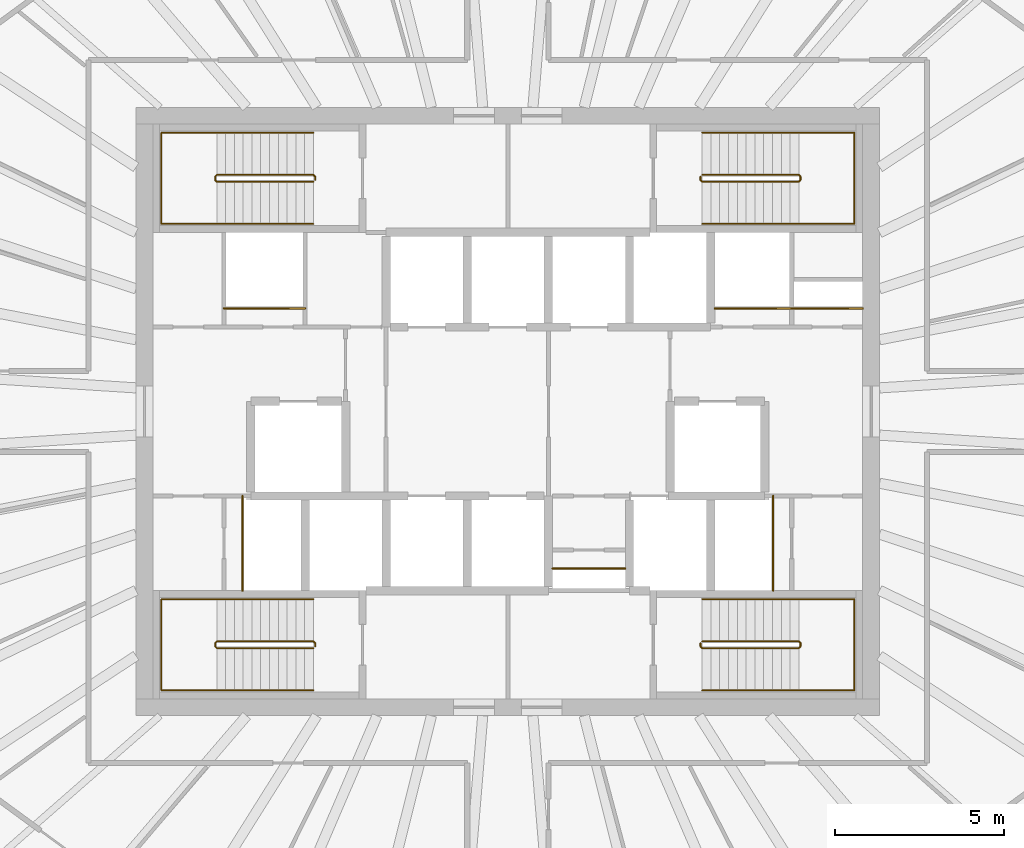
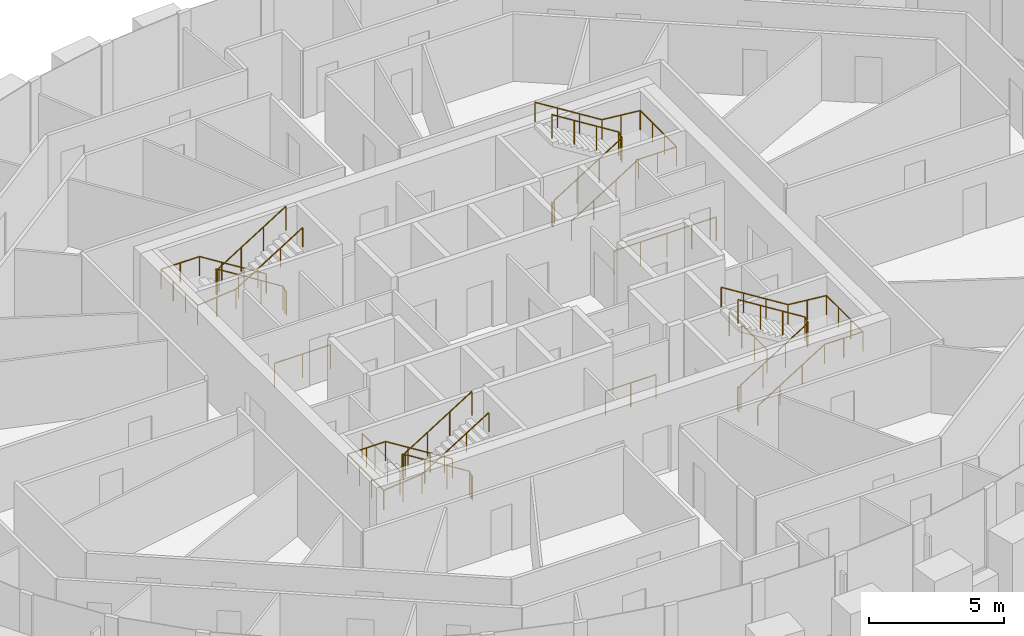
# One storey, part 11 of 11: 14 railings.
"""IFC4 building model written with IfcOpenShell, lengths in metres."""

from ifc_helpers import new_model, si_unit, direction, frame, origin, origin_2d, place, context, subcontext, project, spatial, circle, extrude, source, transform, mapped, material, type_object, element, save


model = new_model("IFC4")

# Units and contexts
model_context = context("Model", 3, precision=1e-05, world=origin(), true_north=direction((0.0, 1.0)))
body_context = subcontext(model_context, "Body", "Model", "MODEL_VIEW")
ifc_project = project(units=[si_unit("LENGTHUNIT", "METRE"), si_unit("AREAUNIT", "SQUARE_METRE"), si_unit("VOLUMEUNIT", "CUBIC_METRE"), si_unit("PLANEANGLEUNIT", "RADIAN"), si_unit("MASSUNIT", "GRAM", prefix="KILO")], contexts=[model_context])

# Site, building, storey
site_placement = place(None, origin())
site = spatial("IfcSite", under=ifc_project, at=site_placement, CompositionType="ELEMENT")
building_placement = place(site_placement, origin())
building = spatial("IfcBuilding", under=site, at=building_placement, Name="Embergate Tower", CompositionType="ELEMENT")
storey_placement = place(building_placement, frame((0.0, 0.0, 328.60009765625)))
storey = spatial("IfcBuildingStorey", under=building, at=storey_placement, Name="L77", CompositionType="ELEMENT", Elevation=328.60009765625)

# Railings
ifc_material_1 = material(Name="Stair handrail 900")
railing_type_1 = type_object("IfcRailingType", Name="Stair handrail 900", PredefinedType="HANDRAIL", material=ifc_material_1)
shared_shape_1 = source(origin(), body_context, "Body", "SweptSolid", [
    extrude(circle(Radius=0.02392578125, at=origin_2d()), frame((0.0, 0.0, 0.8759765625), z_axis=(-0.847994237388, 0.0, 0.530005446535), x_axis=(0.0, -1.0, 0.0)), (0.0, 0.0, 1.0), 3.372802734375),
    extrude(circle(Radius=0.02392578125, at=origin_2d()), frame((-2.860107421875, 0.0, 2.66357421875), z_axis=(-1.0, 0.0, 0.0), x_axis=(0.0, -1.0, 0.0)), (0.0, 0.0, 1.0), 1.639892578125),
    extrude(circle(Radius=0.02392578125, at=origin_2d()), frame((-4.5, 0.0, 2.66357421875), z_axis=(0.0, -1.0, 0.0), x_axis=(1.0, 0.0, 0.0)), (0.0, 0.0, 1.0), 2.699951171875),
    extrude(circle(Radius=0.02392578125, at=origin_2d()), frame((-4.5, -2.699951171875, 2.66357421875), z_axis=(0.995134983717, 0.0, 0.098520881967), x_axis=(0.0, 1.0, 0.0)), (0.0, 0.0, 1.0), 1.64794921875),
    extrude(circle(Radius=0.02392578125, at=origin_2d()), frame((-2.860107421875, -2.699951171875, 2.82568359375), z_axis=(0.847994237388, 0.0, 0.530005446535), x_axis=(0.0, 1.0, 0.0)), (0.0, 0.0, 1.0), 3.372802734375),
    extrude(circle(Radius=0.02099609375, at=origin_2d()), origin(), (0.0, 0.0, 1.0), 0.851806640625),
    extrude(circle(Radius=0.02099609375, at=origin_2d()), frame((-0.953369140625, 0.0, 0.595947265625)), (0.0, 0.0, 1.0), 0.851806640625),
    extrude(circle(Radius=0.02099609375, at=origin_2d()), frame((-1.90673828125, 0.0, 1.191650390625)), (0.0, 0.0, 1.0), 0.851806640625),
    extrude(circle(Radius=0.02099609375, at=origin_2d()), frame((-2.860107421875, 0.0, 1.78759765625)), (0.0, 0.0, 1.0), 0.851806640625),
    extrude(circle(Radius=0.02099609375, at=origin_2d()), frame((-3.68017578125, 0.0, 1.78759765625)), (0.0, 0.0, 1.0), 0.851806640625),
    extrude(circle(Radius=0.02099609375, at=origin_2d()), frame((-4.5, 0.0, 1.78759765625)), (0.0, 0.0, 1.0), 0.851806640625),
    extrude(circle(Radius=0.02099609375, at=origin_2d()), frame((-4.5, -0.89990234375, 1.78759765625)), (0.0, 0.0, 1.0), 0.851806640625),
    extrude(circle(Radius=0.02099609375, at=origin_2d()), frame((-4.5, -1.800048828125, 1.78759765625)), (0.0, 0.0, 1.0), 0.851806640625),
    extrude(circle(Radius=0.02099609375, at=origin_2d()), frame((-4.5, -2.699951171875, 1.78759765625)), (0.0, 0.0, 1.0), 0.851806640625),
    extrude(circle(Radius=0.02099609375, at=origin_2d()), frame((-3.68017578125, -2.699951171875, 1.86865234375)), (0.0, 0.0, 1.0), 0.851806640625),
    extrude(circle(Radius=0.02099609375, at=origin_2d()), frame((-2.860107421875, -2.699951171875, 1.949951171875)), (0.0, 0.0, 1.0), 0.851806640625),
    extrude(circle(Radius=0.02099609375, at=origin_2d()), frame((-1.90673828125, -2.699951171875, 2.5458984375)), (0.0, 0.0, 1.0), 0.851806640625),
    extrude(circle(Radius=0.02099609375, at=origin_2d()), frame((-0.953369140625, -2.699951171875, 3.1416015625)), (0.0, 0.0, 1.0), 0.851806640625),
    extrude(circle(Radius=0.02099609375, at=origin_2d()), frame((0.0, -2.699951171875, 3.737548828125)), (0.0, 0.0, 1.0), 0.851806640625),
])
for number, where, name in (
    (1, (-5.75, 8.25, 0.162353515625), "L77 ST1 stair handrail 1"),
    (2, (-5.75, -5.550048828125, 0.162353515625), "L77 ST3 stair handrail 1"),
):
    element("IfcRailing", number, at=place(storey_placement, frame(where)), inside=storey, type_object=railing_type_1, Name=name, PredefinedType="HANDRAIL", context=body_context, shape_type="MappedRepresentation", body=[
        mapped(shared_shape_1, transform((0.0, 0.0, 0.0))),
    ])
ifc_material_2 = material(Name="Stair guard 1100")
railing_type_2 = type_object("IfcRailingType", Name="Stair guard 1100", PredefinedType="GUARDRAIL", material=ifc_material_2)
shared_shape_2 = source(origin(), body_context, "Body", "SweptSolid", [
    extrude(circle(Radius=0.02392578125, at=origin_2d()), frame((0.0, 0.0, 1.076171875), z_axis=(0.0, 1.0, 0.0), x_axis=(-1.0, 0.0, 0.0)), (0.0, 0.0, 1.0), 0.099853515625),
    extrude(circle(Radius=0.02392578125, at=origin_2d()), frame((0.0, 0.099853515625, 1.076171875), z_axis=(-0.282583949758, 0.282583949758, 0.916674763849), x_axis=(-0.707106781187, -0.707106781187, 0.0)), (0.0, 0.0, 1.0), 0.177001953125),
    extrude(circle(Radius=0.02392578125, at=origin_2d()), frame((-0.050048828125, 0.14990234375, 1.23828125), z_axis=(-0.847994237388, 0.0, 0.530005446535), x_axis=(0.0, -1.0, 0.0)), (0.0, 0.0, 1.0), 3.372802734375),
    extrude(circle(Radius=0.02392578125, at=origin_2d()), frame((-2.91015625, 0.14990234375, 3.02587890625), z_axis=(-0.705375805398, -0.708833529934, 0.0), x_axis=(0.708833529934, -0.705375805398, 0.0)), (0.0, 0.0, 1.0), 0.070556640625),
    extrude(circle(Radius=0.02392578125, at=origin_2d()), frame((-2.9599609375, 0.099853515625, 3.02587890625), z_axis=(0.0, -1.0, 0.0), x_axis=(1.0, 0.0, 0.0)), (0.0, 0.0, 1.0), 0.099853515625),
    extrude(circle(Radius=0.02392578125, at=origin_2d()), frame((-2.9599609375, 0.0, 3.02587890625), z_axis=(0.281314826061, -0.282693820306, 0.917031173188), x_axis=(0.708833529934, 0.705375805398, 0.0)), (0.0, 0.0, 1.0), 0.177001953125),
    extrude(circle(Radius=0.02392578125, at=origin_2d()), frame((-2.91015625, -0.050048828125, 3.1884765625), z_axis=(0.847994237388, 0.0, 0.530005446535), x_axis=(0.0, 1.0, 0.0)), (0.0, 0.0, 1.0), 3.372802734375),
    extrude(circle(Radius=0.02099609375, at=origin_2d()), origin(), (0.0, 0.0, 1.0), 1.052001953125),
    extrude(circle(Radius=0.02099609375, at=origin_2d()), frame((0.0, 0.099853515625, 0.0)), (0.0, 0.0, 1.0), 1.052001953125),
    extrude(circle(Radius=0.02099609375, at=origin_2d()), frame((-0.050048828125, 0.14990234375, 0.162353515625)), (0.0, 0.0, 1.0), 1.052001953125),
    extrude(circle(Radius=0.02099609375, at=origin_2d()), frame((-1.00341796875, 0.14990234375, 0.75830078125)), (0.0, 0.0, 1.0), 1.052001953125),
    extrude(circle(Radius=0.02099609375, at=origin_2d()), frame((-1.956787109375, 0.14990234375, 1.35400390625)), (0.0, 0.0, 1.0), 1.052001953125),
    extrude(circle(Radius=0.02099609375, at=origin_2d()), frame((-2.91015625, 0.14990234375, 1.949951171875)), (0.0, 0.0, 1.0), 1.052001953125),
    extrude(circle(Radius=0.02099609375, at=origin_2d()), frame((-2.9599609375, 0.099853515625, 1.949951171875)), (0.0, 0.0, 1.0), 1.052001953125),
    extrude(circle(Radius=0.02099609375, at=origin_2d()), frame((-2.9599609375, 0.0, 1.949951171875)), (0.0, 0.0, 1.0), 1.052001953125),
    extrude(circle(Radius=0.02099609375, at=origin_2d()), frame((-2.91015625, -0.050048828125, 2.1123046875)), (0.0, 0.0, 1.0), 1.052001953125),
    extrude(circle(Radius=0.02099609375, at=origin_2d()), frame((-1.956787109375, -0.050048828125, 2.708251953125)), (0.0, 0.0, 1.0), 1.052001953125),
    extrude(circle(Radius=0.02099609375, at=origin_2d()), frame((-1.00341796875, -0.050048828125, 3.303955078125)), (0.0, 0.0, 1.0), 1.052001953125),
    extrude(circle(Radius=0.02099609375, at=origin_2d()), frame((-0.050048828125, -0.050048828125, 3.89990234375)), (0.0, 0.0, 1.0), 1.052001953125),
])
for number, where, name in (
    (3, (-5.699951171875, 6.85009765625, 0.0), "L77 ST1 stair guard 1"),
    (4, (-5.699951171875, -6.949951171875, 0.0), "L77 ST3 stair guard 1"),
):
    element("IfcRailing", number, at=place(storey_placement, frame(where)), inside=storey, type_object=railing_type_2, Name=name, PredefinedType="GUARDRAIL", context=body_context, shape_type="MappedRepresentation", body=[
        mapped(shared_shape_2, transform((0.0, 0.0, 0.0))),
    ])
shared_shape_3 = source(origin(), body_context, "Body", "SweptSolid", [
    extrude(circle(Radius=0.02392578125, at=origin_2d()), frame((0.0, 0.0, 0.8759765625), z_axis=(0.847994237388, 0.0, 0.530005446535), x_axis=(0.0, 1.0, 0.0)), (0.0, 0.0, 1.0), 3.372802734375),
    extrude(circle(Radius=0.02392578125, at=origin_2d()), frame((2.860107421875, 0.0, 2.66357421875), z_axis=(1.0, 0.0, 0.0), x_axis=(0.0, 1.0, 0.0)), (0.0, 0.0, 1.0), 1.639892578125),
    extrude(circle(Radius=0.02392578125, at=origin_2d()), frame((4.5, 0.0, 2.66357421875), z_axis=(0.0, 1.0, 0.0), x_axis=(-1.0, 0.0, 0.0)), (0.0, 0.0, 1.0), 2.699951171875),
    extrude(circle(Radius=0.02392578125, at=origin_2d()), frame((4.5, 2.699951171875, 2.66357421875), z_axis=(-0.995134983717, 0.0, 0.098520881967), x_axis=(0.0, -1.0, 0.0)), (0.0, 0.0, 1.0), 1.64794921875),
    extrude(circle(Radius=0.02392578125, at=origin_2d()), frame((2.860107421875, 2.699951171875, 2.82568359375), z_axis=(-0.847994237388, 0.0, 0.530005446535), x_axis=(0.0, -1.0, 0.0)), (0.0, 0.0, 1.0), 3.372802734375),
    extrude(circle(Radius=0.02099609375, at=origin_2d()), origin(), (0.0, 0.0, 1.0), 0.851806640625),
    extrude(circle(Radius=0.02099609375, at=origin_2d()), frame((0.953369140625, 0.0, 0.595947265625)), (0.0, 0.0, 1.0), 0.851806640625),
    extrude(circle(Radius=0.02099609375, at=origin_2d()), frame((1.90673828125, 0.0, 1.191650390625)), (0.0, 0.0, 1.0), 0.851806640625),
    extrude(circle(Radius=0.02099609375, at=origin_2d()), frame((2.860107421875, 0.0, 1.78759765625)), (0.0, 0.0, 1.0), 0.851806640625),
    extrude(circle(Radius=0.02099609375, at=origin_2d()), frame((3.68017578125, 0.0, 1.78759765625)), (0.0, 0.0, 1.0), 0.851806640625),
    extrude(circle(Radius=0.02099609375, at=origin_2d()), frame((4.5, 0.0, 1.78759765625)), (0.0, 0.0, 1.0), 0.851806640625),
    extrude(circle(Radius=0.02099609375, at=origin_2d()), frame((4.5, 0.89990234375, 1.78759765625)), (0.0, 0.0, 1.0), 0.851806640625),
    extrude(circle(Radius=0.02099609375, at=origin_2d()), frame((4.5, 1.800048828125, 1.78759765625)), (0.0, 0.0, 1.0), 0.851806640625),
    extrude(circle(Radius=0.02099609375, at=origin_2d()), frame((4.5, 2.699951171875, 1.78759765625)), (0.0, 0.0, 1.0), 0.851806640625),
    extrude(circle(Radius=0.02099609375, at=origin_2d()), frame((3.68017578125, 2.699951171875, 1.86865234375)), (0.0, 0.0, 1.0), 0.851806640625),
    extrude(circle(Radius=0.02099609375, at=origin_2d()), frame((2.860107421875, 2.699951171875, 1.949951171875)), (0.0, 0.0, 1.0), 0.851806640625),
    extrude(circle(Radius=0.02099609375, at=origin_2d()), frame((1.90673828125, 2.699951171875, 2.5458984375)), (0.0, 0.0, 1.0), 0.851806640625),
    extrude(circle(Radius=0.02099609375, at=origin_2d()), frame((0.953369140625, 2.699951171875, 3.1416015625)), (0.0, 0.0, 1.0), 0.851806640625),
    extrude(circle(Radius=0.02099609375, at=origin_2d()), frame((0.0, 2.699951171875, 3.737548828125)), (0.0, 0.0, 1.0), 0.851806640625),
])
for number, where, name in (
    (5, (5.75, 5.550048828125, 0.162353515625), "L77 ST2 stair handrail 1"),
    (6, (5.75, -8.25, 0.162353515625), "L77 ST4 stair handrail 1"),
):
    element("IfcRailing", number, at=place(storey_placement, frame(where)), inside=storey, type_object=railing_type_1, Name=name, PredefinedType="HANDRAIL", context=body_context, shape_type="MappedRepresentation", body=[
        mapped(shared_shape_3, transform((0.0, 0.0, 0.0))),
    ])
shared_shape_4 = source(origin(), body_context, "Body", "SweptSolid", [
    extrude(circle(Radius=0.02392578125, at=origin_2d()), frame((0.0, 0.0, 1.076171875), z_axis=(0.0, -1.0, 0.0), x_axis=(1.0, 0.0, 0.0)), (0.0, 0.0, 1.0), 0.099853515625),
    extrude(circle(Radius=0.02392578125, at=origin_2d()), frame((0.0, -0.099853515625, 1.076171875), z_axis=(0.282583949758, -0.282583949758, 0.916674763849), x_axis=(0.707106781187, 0.707106781187, 0.0)), (0.0, 0.0, 1.0), 0.177001953125),
    extrude(circle(Radius=0.02392578125, at=origin_2d()), frame((0.050048828125, -0.14990234375, 1.23828125), z_axis=(0.847994237388, 0.0, 0.530005446535), x_axis=(0.0, 1.0, 0.0)), (0.0, 0.0, 1.0), 3.372802734375),
    extrude(circle(Radius=0.02392578125, at=origin_2d()), frame((2.91015625, -0.14990234375, 3.02587890625), z_axis=(0.705375805398, 0.708833529934, 0.0), x_axis=(-0.708833529934, 0.705375805398, 0.0)), (0.0, 0.0, 1.0), 0.070556640625),
    extrude(circle(Radius=0.02392578125, at=origin_2d()), frame((2.9599609375, -0.099853515625, 3.02587890625), z_axis=(0.0, 1.0, 0.0), x_axis=(-1.0, 0.0, 0.0)), (0.0, 0.0, 1.0), 0.099853515625),
    extrude(circle(Radius=0.02392578125, at=origin_2d()), frame((2.9599609375, 0.0, 3.02587890625), z_axis=(-0.281314826061, 0.282693820306, 0.917031173188), x_axis=(-0.708833529934, -0.705375805398, 0.0)), (0.0, 0.0, 1.0), 0.177001953125),
    extrude(circle(Radius=0.02392578125, at=origin_2d()), frame((2.91015625, 0.050048828125, 3.1884765625), z_axis=(-0.847994237388, 0.0, 0.530005446535), x_axis=(0.0, -1.0, 0.0)), (0.0, 0.0, 1.0), 3.372802734375),
    extrude(circle(Radius=0.02099609375, at=origin_2d()), origin(), (0.0, 0.0, 1.0), 1.052001953125),
    extrude(circle(Radius=0.02099609375, at=origin_2d()), frame((0.0, -0.099853515625, 0.0)), (0.0, 0.0, 1.0), 1.052001953125),
    extrude(circle(Radius=0.02099609375, at=origin_2d()), frame((0.050048828125, -0.14990234375, 0.162353515625)), (0.0, 0.0, 1.0), 1.052001953125),
    extrude(circle(Radius=0.02099609375, at=origin_2d()), frame((1.00341796875, -0.14990234375, 0.75830078125)), (0.0, 0.0, 1.0), 1.052001953125),
    extrude(circle(Radius=0.02099609375, at=origin_2d()), frame((1.956787109375, -0.14990234375, 1.35400390625)), (0.0, 0.0, 1.0), 1.052001953125),
    extrude(circle(Radius=0.02099609375, at=origin_2d()), frame((2.91015625, -0.14990234375, 1.949951171875)), (0.0, 0.0, 1.0), 1.052001953125),
    extrude(circle(Radius=0.02099609375, at=origin_2d()), frame((2.9599609375, -0.099853515625, 1.949951171875)), (0.0, 0.0, 1.0), 1.052001953125),
    extrude(circle(Radius=0.02099609375, at=origin_2d()), frame((2.9599609375, 0.0, 1.949951171875)), (0.0, 0.0, 1.0), 1.052001953125),
    extrude(circle(Radius=0.02099609375, at=origin_2d()), frame((2.91015625, 0.050048828125, 2.1123046875)), (0.0, 0.0, 1.0), 1.052001953125),
    extrude(circle(Radius=0.02099609375, at=origin_2d()), frame((1.956787109375, 0.050048828125, 2.708251953125)), (0.0, 0.0, 1.0), 1.052001953125),
    extrude(circle(Radius=0.02099609375, at=origin_2d()), frame((1.00341796875, 0.050048828125, 3.303955078125)), (0.0, 0.0, 1.0), 1.052001953125),
    extrude(circle(Radius=0.02099609375, at=origin_2d()), frame((0.050048828125, 0.050048828125, 3.89990234375)), (0.0, 0.0, 1.0), 1.052001953125),
])
for number, where, name in (
    (7, (5.699951171875, 6.949951171875, 0.0), "L77 ST2 stair guard 1"),
    (8, (5.699951171875, -6.85009765625, 0.0), "L77 ST4 stair guard 1"),
):
    element("IfcRailing", number, at=place(storey_placement, frame(where)), inside=storey, type_object=railing_type_2, Name=name, PredefinedType="GUARDRAIL", context=body_context, shape_type="MappedRepresentation", body=[
        mapped(shared_shape_4, transform((0.0, 0.0, 0.0))),
    ])
ifc_material_3 = material(Name="Opening guard 1100")
railing_type_3 = type_object("IfcRailingType", Name="Opening guard 1100", PredefinedType="GUARDRAIL", material=ifc_material_3)
shared_shape_5 = source(origin(), body_context, "Body", "SweptSolid", [
    extrude(circle(Radius=0.02392578125, at=origin_2d()), frame((0.0, 0.0, 1.076171875), z_axis=(1.0, 0.0, 0.0), x_axis=(0.0, 1.0, 0.0)), (0.0, 0.0, 1.0), 2.27490234375),
    extrude(circle(Radius=0.02099609375, at=origin_2d()), origin(), (0.0, 0.0, 1.0), 1.052001953125),
    extrude(circle(Radius=0.02099609375, at=origin_2d()), frame((1.137451171875, 0.0, 0.0)), (0.0, 0.0, 1.0), 1.052001953125),
    extrude(circle(Radius=0.02099609375, at=origin_2d()), frame((2.27490234375, 0.0, 0.0)), (0.0, 0.0, 1.0), 1.052001953125),
])
railing_1_placement = place(storey_placement, frame((6.125, 3.050048828125, 0.0)))
element("IfcRailing", 9, at=railing_1_placement, inside=storey, type_object=railing_type_3, Name="Riser opening guard", PredefinedType="GUARDRAIL", context=body_context, shape_type="MappedRepresentation", body=[
    mapped(shared_shape_5, transform((0.0, 0.0, 0.0))),
])
shared_shape_6 = source(origin(), body_context, "Body", "SweptSolid", [
    extrude(circle(Radius=0.02392578125, at=origin_2d()), frame((0.0, 0.0, 1.076171875), z_axis=(0.0, 1.0, 0.0), x_axis=(-1.0, 0.0, 0.0)), (0.0, 0.0, 1.0), 2.800048828125),
    extrude(circle(Radius=0.02099609375, at=origin_2d()), origin(), (0.0, 0.0, 1.0), 1.052001953125),
    extrude(circle(Radius=0.02099609375, at=origin_2d()), frame((0.0, 0.933349609375, 0.0)), (0.0, 0.0, 1.0), 1.052001953125),
    extrude(circle(Radius=0.02099609375, at=origin_2d()), frame((0.0, 1.86669921875, 0.0)), (0.0, 0.0, 1.0), 1.052001953125),
    extrude(circle(Radius=0.02099609375, at=origin_2d()), frame((0.0, 2.800048828125, 0.0)), (0.0, 0.0, 1.0), 1.052001953125),
])
for number, where, name in (
    (10, (-7.85009765625, -5.300048828125, 0.0), "Riser opening guard"),
    (11, (7.85009765625, -5.300048828125, 0.0), "Riser opening guard"),
):
    element("IfcRailing", number, at=place(storey_placement, frame(where)), inside=storey, type_object=railing_type_3, Name=name, PredefinedType="GUARDRAIL", context=body_context, shape_type="MappedRepresentation", body=[
        mapped(shared_shape_6, transform((0.0, 0.0, 0.0))),
    ])
shared_shape_7 = source(origin(), body_context, "Body", "SweptSolid", [
    extrude(circle(Radius=0.02392578125, at=origin_2d()), frame((0.0, 0.0, 1.076171875), z_axis=(1.0, 0.0, 0.0), x_axis=(0.0, 1.0, 0.0)), (0.0, 0.0, 1.0), 2.39990234375),
    extrude(circle(Radius=0.02099609375, at=origin_2d()), origin(), (0.0, 0.0, 1.0), 1.052001953125),
    extrude(circle(Radius=0.02099609375, at=origin_2d()), frame((1.199951171875, 0.0, 0.0)), (0.0, 0.0, 1.0), 1.052001953125),
    extrude(circle(Radius=0.02099609375, at=origin_2d()), frame((2.39990234375, 0.0, 0.0)), (0.0, 0.0, 1.0), 1.052001953125),
])
railing_2_placement = place(storey_placement, frame((-8.39990234375, 3.050048828125, 0.0)))
element("IfcRailing", 12, at=railing_2_placement, inside=storey, type_object=railing_type_3, Name="Riser opening guard", PredefinedType="GUARDRAIL", context=body_context, shape_type="MappedRepresentation", body=[
    mapped(shared_shape_7, transform((0.0, 0.0, 0.0))),
])
shared_shape_8 = source(origin(), body_context, "Body", "SweptSolid", [
    extrude(circle(Radius=0.02392578125, at=origin_2d()), frame((0.0, 0.0, 1.076171875), z_axis=(1.0, 0.0, 0.0), x_axis=(0.0, 1.0, 0.0)), (0.0, 0.0, 1.0), 2.10009765625),
    extrude(circle(Radius=0.02099609375, at=origin_2d()), origin(), (0.0, 0.0, 1.0), 1.052001953125),
    extrude(circle(Radius=0.02099609375, at=origin_2d()), frame((1.050048828125, 0.0, 0.0)), (0.0, 0.0, 1.0), 1.052001953125),
    extrude(circle(Radius=0.02099609375, at=origin_2d()), frame((2.10009765625, 0.0, 0.0)), (0.0, 0.0, 1.0), 1.052001953125),
])
railing_3_placement = place(storey_placement, frame((8.39990234375, 3.050048828125, 0.0)))
element("IfcRailing", 13, at=railing_3_placement, inside=storey, type_object=railing_type_3, Name="Riser opening guard", PredefinedType="GUARDRAIL", context=body_context, shape_type="MappedRepresentation", body=[
    mapped(shared_shape_8, transform((0.0, 0.0, 0.0))),
])
shared_shape_9 = source(origin(), body_context, "Body", "SweptSolid", [
    extrude(circle(Radius=0.02392578125, at=origin_2d()), frame((0.0, 0.0, 1.076171875), z_axis=(1.0, 0.0, 0.0), x_axis=(0.0, 1.0, 0.0)), (0.0, 0.0, 1.0), 2.150146484375),
    extrude(circle(Radius=0.02099609375, at=origin_2d()), origin(), (0.0, 0.0, 1.0), 1.052001953125),
    extrude(circle(Radius=0.02099609375, at=origin_2d()), frame((1.0751953125, 0.0, 0.0)), (0.0, 0.0, 1.0), 1.052001953125),
    extrude(circle(Radius=0.02099609375, at=origin_2d()), frame((2.150146484375, 0.0, 0.0)), (0.0, 0.0, 1.0), 1.052001953125),
])
railing_4_placement = place(storey_placement, frame((1.324951171875, -4.64599609375, 0.0)))
element("IfcRailing", 14, at=railing_4_placement, inside=storey, type_object=railing_type_3, Name="Riser opening guard", PredefinedType="GUARDRAIL", context=body_context, shape_type="MappedRepresentation", body=[
    mapped(shared_shape_9, transform((0.0, 0.0, 0.0))),
])

save(model, "model.ifc")
